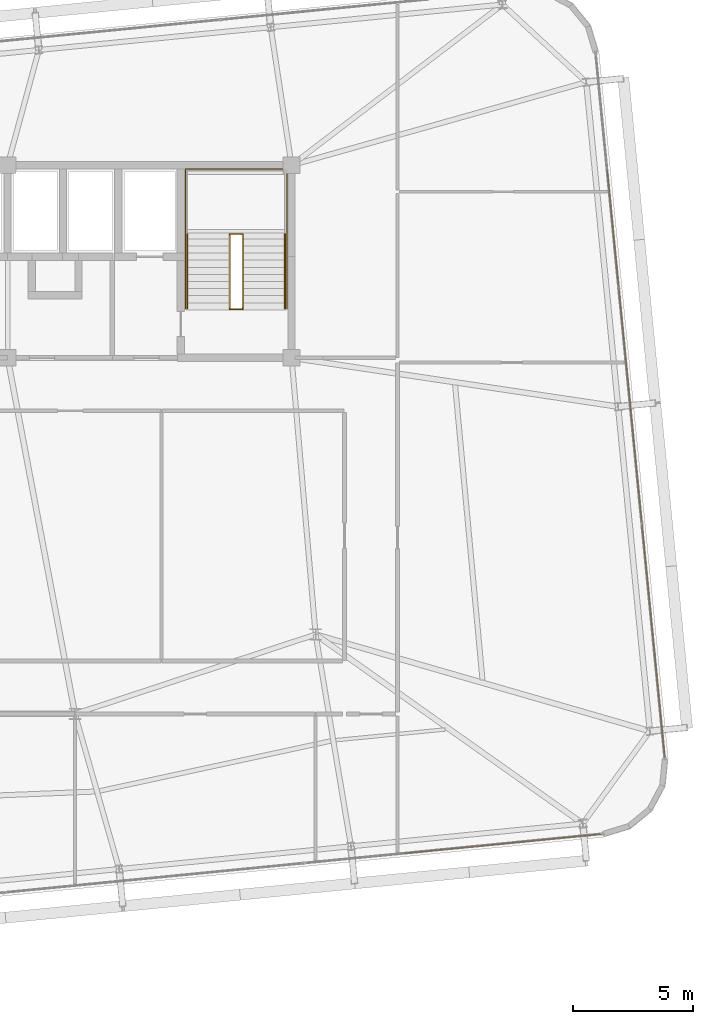
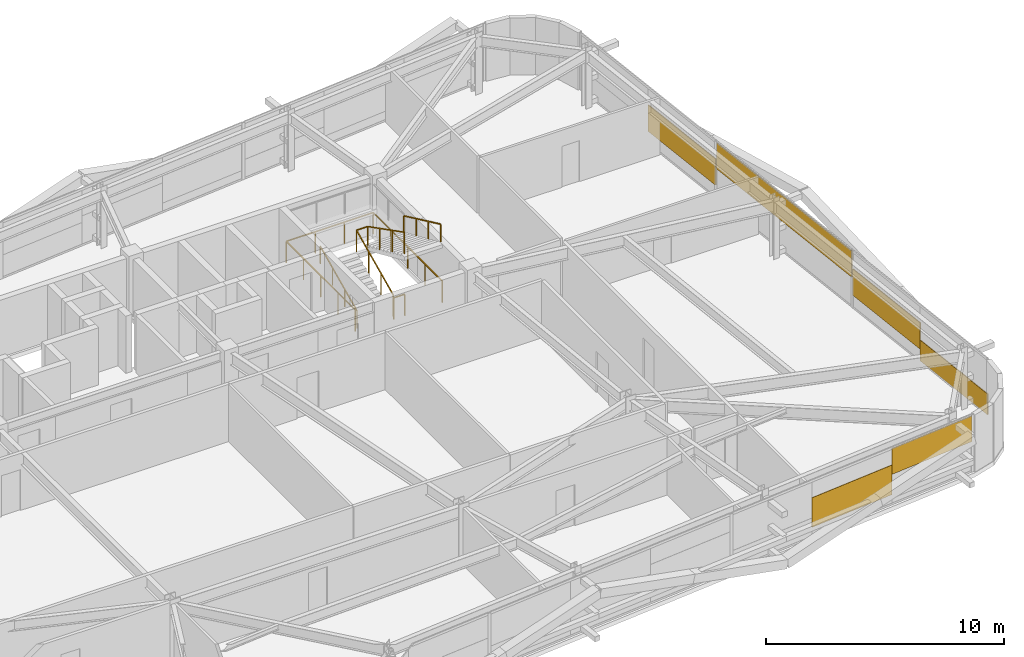
# One storey, part 46 of 47: 6 coverings, 5 railings.
"""IFC4 building model written with IfcOpenShell, lengths in metres."""

from ifc_helpers import new_model, si_unit, direction, frame, origin, origin_2d, place, context, subcontext, project, spatial, rectangle, extrude, source, transform, mapped, material, layer, layer_set, type_object, element, save


model = new_model("IFC4")

# Units and contexts
model_context = context("Model", 3, precision=1e-05, world=origin(), true_north=direction((0.0, 1.0)))
body_context = subcontext(model_context, "Body", "Model", "MODEL_VIEW")
ifc_project = project(units=[si_unit("LENGTHUNIT", "METRE"), si_unit("AREAUNIT", "SQUARE_METRE"), si_unit("VOLUMEUNIT", "CUBIC_METRE"), si_unit("PLANEANGLEUNIT", "RADIAN"), si_unit("MASSUNIT", "GRAM", prefix="KILO")], contexts=[model_context])

# Site, building, storey
site_placement = place(None, origin())
site = spatial("IfcSite", under=ifc_project, at=site_placement, CompositionType="ELEMENT")
building_placement = place(site_placement, origin())
building = spatial("IfcBuilding", under=site, at=building_placement, Name="Taldren Reach Tower", CompositionType="ELEMENT")
storey_placement = place(building_placement, frame((0.0, 0.0, 106.050048828125)))
storey = spatial("IfcBuildingStorey", under=building, at=storey_placement, Name="L32", CompositionType="ELEMENT", Elevation=106.050048828125)

# Railings
ifc_material_1 = material(Name="Steel Gr 350 (C350L0)", Category="steel")
ifc_layer_1 = layer(ifc_material_1, 0.050048828125)
ifc_layer_set_1 = layer_set([ifc_layer_1], Name="Steel Gr 350 (C350L0)")
railing_type_1 = type_object("IfcRailingType", Name="RL-STAIR-GR", PredefinedType="GUARDRAIL", material=ifc_layer_set_1)
railing_1_placement = place(storey_placement, frame((48.429931640625, 26.050048828125, 0.131103515625)))
element("IfcRailing", 1, at=railing_1_placement, inside=storey, type_object=railing_type_1, Name="Stairwell inner guard ST2-L32", PredefinedType="GUARDRAIL", context=body_context, shape_type="SweptSolid", body=[
    extrude(rectangle(XDim=0.047852, YDim=0.047852, at=origin_2d()), frame((0.0, 0.0, 1.09619140625), z_axis=(0.0, 0.905710134349, 0.423897573167), x_axis=(-1.0, 0.0, 0.0)), (0.0, 0.0, 1.0), 3.406005859375),
    extrude(rectangle(XDim=0.047852, YDim=0.047852, at=origin_2d()), frame((0.0, 3.0849609375, 2.5400390625), z_axis=(1.0, 0.0, 0.0), x_axis=(0.0, 1.0, 0.0)), (0.0, 0.0, 1.0), 0.5400390625),
    extrude(rectangle(XDim=0.047852, YDim=0.047852, at=origin_2d()), frame((0.5400390625, 3.0849609375, 2.5400390625), z_axis=(0.0, -0.890645957773, 0.45469745755), x_axis=(1.0, 0.0, 0.0)), (0.0, 0.0, 1.0), 3.463623046875),
    extrude(rectangle(XDim=0.041992, YDim=0.041992, at=origin_2d()), origin(), (0.0, 0.0, 1.0), 1.072021484375),
    extrude(rectangle(XDim=0.041992, YDim=0.041992, at=origin_2d()), frame((0.0, 1.0283203125, 0.481201171875)), (0.0, 0.0, 1.0), 1.072021484375),
    extrude(rectangle(XDim=0.041992, YDim=0.041992, at=origin_2d()), frame((0.0, 2.056640625, 0.962646484375)), (0.0, 0.0, 1.0), 1.072021484375),
    extrude(rectangle(XDim=0.041992, YDim=0.041992, at=origin_2d()), frame((0.0, 3.0849609375, 1.44384765625)), (0.0, 0.0, 1.0), 1.072021484375),
    extrude(rectangle(XDim=0.041992, YDim=0.041992, at=origin_2d()), frame((0.5400390625, 3.0849609375, 1.44384765625)), (0.0, 0.0, 1.0), 1.072021484375),
    extrude(rectangle(XDim=0.041992, YDim=0.041992, at=origin_2d()), frame((0.5400390625, 2.056640625, 1.96875)), (0.0, 0.0, 1.0), 1.072021484375),
    extrude(rectangle(XDim=0.041992, YDim=0.041992, at=origin_2d()), frame((0.5400390625, 1.0283203125, 2.493896484375)), (0.0, 0.0, 1.0), 1.072021484375),
    extrude(rectangle(XDim=0.041992, YDim=0.041992, at=origin_2d()), frame((0.5400390625, 0.0, 3.018798828125)), (0.0, 0.0, 1.0), 1.072021484375),
])
railing_2_placement = place(storey_placement, frame((48.429931640625, 26.010009765625, 0.0)))
element("IfcRailing", 2, at=railing_2_placement, inside=storey, type_object=railing_type_1, Name="Stairwell landing slot guard ST2-L32", PredefinedType="GUARDRAIL", context=body_context, shape_type="SweptSolid", body=[
    extrude(rectangle(XDim=0.047852, YDim=0.047852, at=origin_2d()), frame((0.0, 0.0, 1.09619140625), z_axis=(1.0, 0.0, 0.0), x_axis=(0.0, 1.0, 0.0)), (0.0, 0.0, 1.0), 0.5400390625),
    extrude(rectangle(XDim=0.041992, YDim=0.041992, at=origin_2d()), origin(), (0.0, 0.0, 1.0), 1.072021484375),
    extrude(rectangle(XDim=0.041992, YDim=0.041992, at=origin_2d()), frame((0.5400390625, 0.0, 0.0)), (0.0, 0.0, 1.0), 1.072021484375),
])
railing_3_placement = place(storey_placement, frame((46.590087890625, 26.050048828125, 0.0)))
element("IfcRailing", 3, at=railing_3_placement, inside=storey, type_object=railing_type_1, Name="Stairwell floor opening guard ST2-L32", PredefinedType="GUARDRAIL", context=body_context, shape_type="SweptSolid", body=[
    extrude(rectangle(XDim=0.047852, YDim=0.047852, at=origin_2d()), frame((0.0, 0.0, 1.09619140625), z_axis=(0.0, 1.0, 0.0), x_axis=(-1.0, 0.0, 0.0)), (0.0, 0.0, 1.0), 5.800048828125),
    extrude(rectangle(XDim=0.047852, YDim=0.047852, at=origin_2d()), frame((0.0, 5.800048828125, 1.09619140625), z_axis=(1.0, 0.0, 0.0), x_axis=(0.0, 1.0, 0.0)), (0.0, 0.0, 1.0), 4.219970703125),
    extrude(rectangle(XDim=0.047852, YDim=0.047852, at=origin_2d()), frame((4.219970703125, 5.800048828125, 1.09619140625), z_axis=(0.0, -1.0, 0.0), x_axis=(1.0, 0.0, 0.0)), (0.0, 0.0, 1.0), 5.800048828125),
    extrude(rectangle(XDim=0.041992, YDim=0.041992, at=origin_2d()), origin(), (0.0, 0.0, 1.0), 1.072021484375),
    extrude(rectangle(XDim=0.041992, YDim=0.041992, at=origin_2d()), frame((0.0, 1.449951171875, 0.0)), (0.0, 0.0, 1.0), 1.072021484375),
    extrude(rectangle(XDim=0.041992, YDim=0.041992, at=origin_2d()), frame((0.0, 2.89990234375, 0.0)), (0.0, 0.0, 1.0), 1.072021484375),
    extrude(rectangle(XDim=0.041992, YDim=0.041992, at=origin_2d()), frame((0.0, 4.35009765625, 0.0)), (0.0, 0.0, 1.0), 1.072021484375),
    extrude(rectangle(XDim=0.041992, YDim=0.041992, at=origin_2d()), frame((0.0, 5.800048828125, 0.0)), (0.0, 0.0, 1.0), 1.072021484375),
    extrude(rectangle(XDim=0.041992, YDim=0.041992, at=origin_2d()), frame((1.40673828125, 5.800048828125, 0.0)), (0.0, 0.0, 1.0), 1.072021484375),
    extrude(rectangle(XDim=0.041992, YDim=0.041992, at=origin_2d()), frame((2.813232421875, 5.800048828125, 0.0)), (0.0, 0.0, 1.0), 1.072021484375),
    extrude(rectangle(XDim=0.041992, YDim=0.041992, at=origin_2d()), frame((4.219970703125, 5.800048828125, 0.0)), (0.0, 0.0, 1.0), 1.072021484375),
    extrude(rectangle(XDim=0.041992, YDim=0.041992, at=origin_2d()), frame((4.219970703125, 4.35009765625, 0.0)), (0.0, 0.0, 1.0), 1.072021484375),
    extrude(rectangle(XDim=0.041992, YDim=0.041992, at=origin_2d()), frame((4.219970703125, 2.89990234375, 0.0)), (0.0, 0.0, 1.0), 1.072021484375),
    extrude(rectangle(XDim=0.041992, YDim=0.041992, at=origin_2d()), frame((4.219970703125, 1.449951171875, 0.0)), (0.0, 0.0, 1.0), 1.072021484375),
    extrude(rectangle(XDim=0.041992, YDim=0.041992, at=origin_2d()), frame((4.219970703125, 0.0, 0.0)), (0.0, 0.0, 1.0), 1.072021484375),
])
ifc_material_2 = material(Name="Stainless Steel Gr 316", Category="steel")
ifc_layer_2 = layer(ifc_material_2, 0.048095703125)
ifc_layer_set_2 = layer_set([ifc_layer_2], Name="Stainless Steel Gr 316")
railing_type_2 = type_object("IfcRailingType", Name="RL-STAIR-HR", PredefinedType="HANDRAIL", material=ifc_layer_set_2)
railing_4_placement = place(storey_placement, frame((46.669921875, 26.050048828125, 0.131103515625)))
element("IfcRailing", 4, at=railing_4_placement, inside=storey, type_object=railing_type_2, Name="Stair flight handrail ST2-L32-1", PredefinedType="HANDRAIL", context=body_context, shape_type="SweptSolid", body=[
    extrude(rectangle(XDim=0.047852, YDim=0.047852, at=origin_2d()), frame((0.0, 0.0, 0.89599609375), z_axis=(0.0, 0.905710134349, 0.423897573167), x_axis=(-1.0, 0.0, 0.0)), (0.0, 0.0, 1.0), 3.406005859375),
    extrude(rectangle(XDim=0.041992, YDim=0.041992, at=origin_2d()), origin(), (0.0, 0.0, 1.0), 0.871826171875),
    extrude(rectangle(XDim=0.041992, YDim=0.041992, at=origin_2d()), frame((0.0, 1.0283203125, 0.481201171875)), (0.0, 0.0, 1.0), 0.871826171875),
    extrude(rectangle(XDim=0.041992, YDim=0.041992, at=origin_2d()), frame((0.0, 2.056640625, 0.962646484375)), (0.0, 0.0, 1.0), 0.871826171875),
    extrude(rectangle(XDim=0.041992, YDim=0.041992, at=origin_2d()), frame((0.0, 3.0849609375, 1.44384765625)), (0.0, 0.0, 1.0), 0.871826171875),
])
railing_5_placement = place(storey_placement, frame((50.72998046875, 29.135009765625, 1.7060546875)))
element("IfcRailing", 5, at=railing_5_placement, inside=storey, type_object=railing_type_2, Name="Stair flight handrail ST2-L32-2", PredefinedType="HANDRAIL", context=body_context, shape_type="SweptSolid", body=[
    extrude(rectangle(XDim=0.047852, YDim=0.047852, at=origin_2d()), frame((0.0, 0.0, 0.89599609375), z_axis=(0.0, -0.905710134349, 0.423897573167), x_axis=(1.0, 0.0, 0.0)), (0.0, 0.0, 1.0), 3.406005859375),
    extrude(rectangle(XDim=0.041992, YDim=0.041992, at=origin_2d()), origin(), (0.0, 0.0, 1.0), 0.871826171875),
    extrude(rectangle(XDim=0.041992, YDim=0.041992, at=origin_2d()), frame((0.0, -1.0283203125, 0.481201171875)), (0.0, 0.0, 1.0), 0.871826171875),
    extrude(rectangle(XDim=0.041992, YDim=0.041992, at=origin_2d()), frame((0.0, -2.056640625, 0.962646484375)), (0.0, 0.0, 1.0), 0.871826171875),
    extrude(rectangle(XDim=0.041992, YDim=0.041992, at=origin_2d()), frame((0.0, -3.0849609375, 1.44384765625)), (0.0, 0.0, 1.0), 0.871826171875),
])

# Coverings
ifc_material_3 = material(Name="Pale Champagne Fluoropolymer Aluminium Spandrel Cladding", Category="aluminium")
ifc_layer_3 = layer(ifc_material_3, 0.0439453125)
ifc_layer_set_3 = layer_set([ifc_layer_3], Name="Pale Champagne Fluoropolymer Aluminium Spandrel Cladding")
covering_type = type_object("IfcCoveringType", Name="CV-CLAD-044", PredefinedType="CLADDING", material=ifc_layer_set_3)
shared_shape_1 = source(origin(), body_context, "Body", "SweptSolid", [
    extrude(rectangle(XDim=4.13427734375, YDim=0.0439453125, at=origin_2d()), origin(), (0.0, 0.0, 1.0), 1.52197265625),
])
covering_1_placement = place(storey_placement, frame((57.712890625, 3.60205078125, 0.516845703125), z_axis=(0.0, 0.0, 1.0), x_axis=(0.995227390247, 0.097582999046, 0.0)))
element("IfcCovering", 6, at=covering_1_placement, inside=storey, type_object=covering_type, Name="Diagrid closure cladding strip CW-3 panel 4.1 2", PredefinedType="CLADDING", context=body_context, shape_type="MappedRepresentation", body=[
    mapped(shared_shape_1, transform((0.0, 0.0, 0.0), scale=1.0)),
])
shared_shape_2 = source(origin(), body_context, "Body", "SweptSolid", [
    extrude(rectangle(XDim=4.13427734375, YDim=0.0439453125, at=origin_2d()), origin(), (0.0, 0.0, 1.0), 1.320556640625),
])
covering_2_placement = place(storey_placement, frame((61.8271484375, 4.005615234375, 1.5546875), z_axis=(0.0, 0.0, 1.0), x_axis=(0.995227390247, 0.097582999046, 0.0)))
element("IfcCovering", 7, at=covering_2_placement, inside=storey, type_object=covering_type, Name="Diagrid closure cladding strip CW-3 panel 4.1 3", PredefinedType="CLADDING", context=body_context, shape_type="MappedRepresentation", body=[
    mapped(shared_shape_2, transform((0.0, 0.0, 0.0), scale=1.0)),
])
shared_shape_3 = source(origin(), body_context, "Body", "SweptSolid", [
    extrude(rectangle(XDim=4.867919921875, YDim=0.0439453125, at=origin_2d()), origin(), (0.0, 0.0, 1.0), 1.072998046875),
])
covering_3_placement = place(storey_placement, frame((66.2724609375, 9.826171875, 0.05517578125), z_axis=(0.0, 0.0, 1.0), x_axis=(-0.09758274098, 0.99522741555, 0.0)))
element("IfcCovering", 8, at=covering_3_placement, inside=storey, type_object=covering_type, Name="Diagrid closure cladding strip CW-3 panel 1.1 1", PredefinedType="CLADDING", context=body_context, shape_type="MappedRepresentation", body=[
    mapped(shared_shape_3, transform((0.0, 0.0, 0.0), scale=1.0)),
])
shared_shape_4 = source(origin(), body_context, "Body", "SweptSolid", [
    extrude(rectangle(XDim=4.867919921875, YDim=0.0439453125, at=origin_2d()), origin(), (0.0, 0.0, 1.0), 1.350341796875),
])
for number, where, z_axis, x_axis, name in (
    (9, (65.797607421875, 14.670654296875, 0.65087890625), (0.0, 0.0, 1.0), (-0.09758274098, 0.99522741555, 0.0), "Diagrid closure cladding strip CW-3 panel 1.1 2"),
    (10, (64.356689453125, 29.366455078125, 0.65087890625), (0.0, 0.0, 1.0), (-0.09758274098, 0.99522741555, 0.0), "Diagrid closure cladding strip CW-3 panel 3.1 1"),
):
    element("IfcCovering", number, at=place(storey_placement, frame(where, z_axis=z_axis, x_axis=x_axis)), inside=storey, type_object=covering_type, Name=name, PredefinedType="CLADDING", context=body_context, shape_type="MappedRepresentation", body=[
        mapped(shared_shape_4, transform((0.0, 0.0, 0.0), scale=1.0)),
    ])
shared_shape_5 = source(origin(), body_context, "Body", "SweptSolid", [
    extrude(rectangle(XDim=9.768310546875, YDim=0.0439453125, at=origin_2d()), origin(), (0.0, 0.0, 1.0), 1.339599609375),
])
covering_4_placement = place(storey_placement, frame((65.0771484375, 22.0185546875, 1.53515625), z_axis=(0.0, 0.0, 1.0), x_axis=(-0.09758274098, 0.99522741555, 0.0)))
element("IfcCovering", 11, at=covering_4_placement, inside=storey, type_object=covering_type, Name="Diagrid closure cladding strip CW-3 panel 2.1 1", PredefinedType="CLADDING", context=body_context, shape_type="MappedRepresentation", body=[
    mapped(shared_shape_5, transform((0.0, 0.0, 0.0), scale=1.0)),
])

save(model, "model.ifc")
